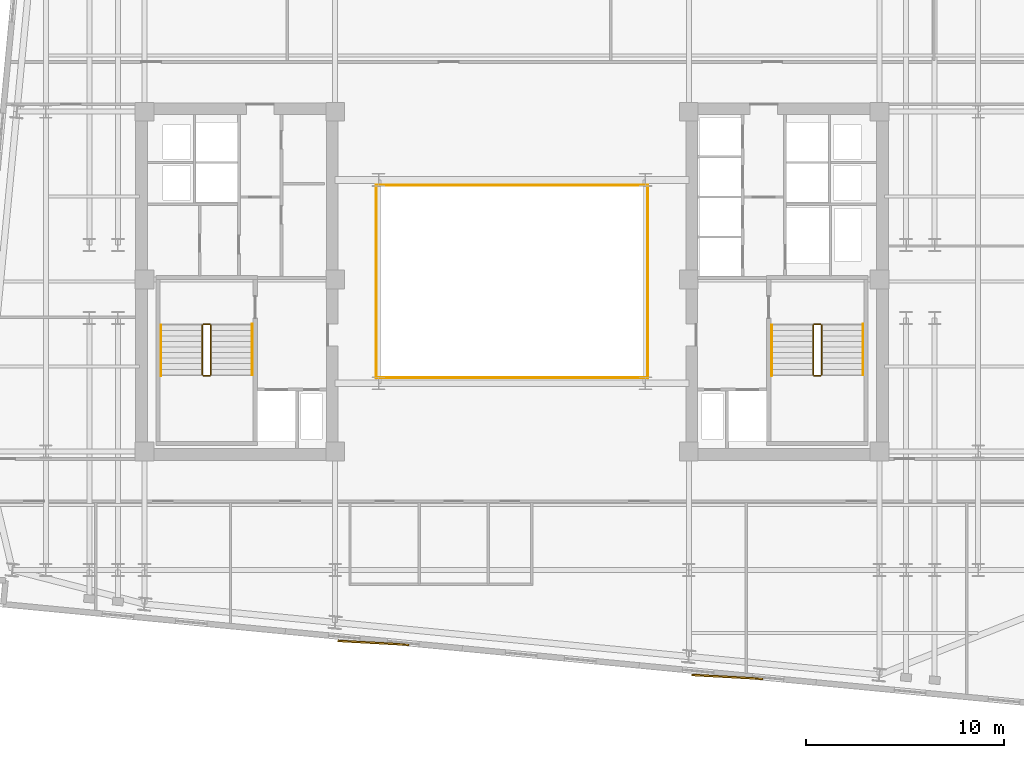
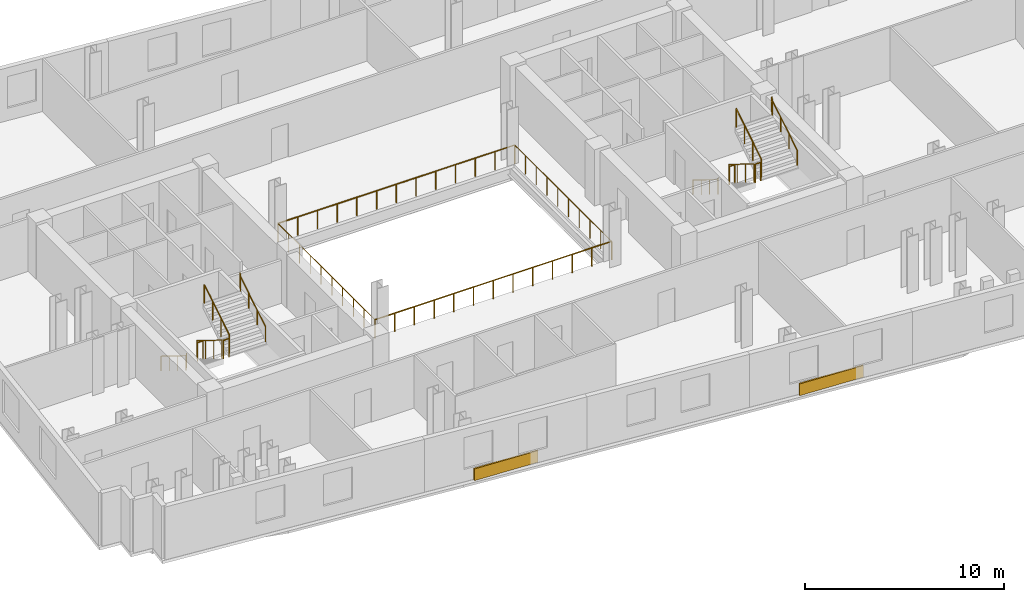
# One storey, part 8 of 9: 16 railings, 2 coverings.
"""IFC4 building model written with IfcOpenShell, lengths in metres."""

from ifc_helpers import new_model, si_unit, direction, frame, origin, origin_2d, place, context, subcontext, project, spatial, rectangle, circle, extrude, material, layer, layer_set, type_object, element, save


model = new_model("IFC4")

# Units and contexts
model_context = context("Model", 3, precision=1e-05, world=origin(), true_north=direction((0.0, 1.0)))
body_context = subcontext(model_context, "Body", "Model", "MODEL_VIEW")
ifc_project = project(units=[si_unit("LENGTHUNIT", "METRE"), si_unit("AREAUNIT", "SQUARE_METRE"), si_unit("VOLUMEUNIT", "CUBIC_METRE"), si_unit("PLANEANGLEUNIT", "RADIAN"), si_unit("MASSUNIT", "GRAM", prefix="KILO")], contexts=[model_context])

# Site, building, storey
site_placement = place(None, origin())
site = spatial("IfcSite", under=ifc_project, at=site_placement, CompositionType="ELEMENT")
building_placement = place(site_placement, origin())
building = spatial("IfcBuilding", under=site, at=building_placement, Name="Velakula Bourse", CompositionType="ELEMENT")
storey_placement = place(building_placement, frame((0.0, 0.0, 184.550048828125)))
storey = spatial("IfcBuildingStorey", under=building, at=storey_placement, Name="L50", CompositionType="ELEMENT", Elevation=184.550048828125)

# Coverings
ifc_material_1 = material(Name="Buff kilned clay facing brick masonry", Category="masonry")
ifc_layer = layer(ifc_material_1, 0.074951171875, Name="Buff kilned clay facing brick masonry", Category="masonry")
ifc_layer_set = layer_set([ifc_layer], Name="Buff kilned clay facing brick masonry")
covering_type = type_object("IfcCoveringType", Name="COV-BRK-SPN-75", PredefinedType="CLADDING", material=ifc_layer_set)
for number, where, z_axis, x_axis, name in (
    (1, (-7.01220703125, -18.288330078125, 0.0), (0.0, 0.0, 1.0), (0.998489097451, -0.054950179912, 0.0), "L50 Folded Brick Facade Cladding Panel S-B2"),
    (2, (10.905029296875, -20.013671875, 0.0), (0.0, 0.0, 1.0), (0.998489097451, -0.054950179912, 0.0), "L50 Folded Brick Facade Cladding Panel S-B4"),
):
    element("IfcCovering", number, at=place(storey_placement, frame(where, z_axis=z_axis, x_axis=x_axis)), inside=storey, type_object=covering_type, Name=name, PredefinedType="CLADDING", context=body_context, shape_type="SweptSolid", body=[
        extrude(rectangle(XDim=3.60009765625, YDim=0.090087890625, at=origin_2d()), origin(), (0.0, 0.0, 1.0), 0.719970703125),
    ])

# Railings
ifc_material_2 = material(Name="Brushed grade 316 stainless steel", Category="steel")
railing_type_1 = type_object("IfcRailingType", Name="RLG-ATRIUM-1150", PredefinedType="BALUSTRADE", material=ifc_material_2)
railing_1_placement = place(storey_placement, frame((-6.8798828125, -4.8798828125, 0.0)))
element("IfcRailing", 3, at=railing_1_placement, inside=storey, type_object=railing_type_1, Name="L50 Central Trading Atrium Balustrade S", PredefinedType="BALUSTRADE", context=body_context, shape_type="SweptSolid", body=[
    extrude(circle(Radius=0.02392578125, at=origin_2d()), frame((0.0, 0.0, 1.1259765625), z_axis=(1.0, 0.0, 0.0), x_axis=(0.0, 1.0, 0.0)), (0.0, 0.0, 1.0), 13.759765625),
    extrude(circle(Radius=0.02099609375, at=origin_2d()), origin(), (0.0, 0.0, 1.0), 1.101806640625),
    extrude(circle(Radius=0.02099609375, at=origin_2d()), frame((1.146728515625, 0.0, 0.0)), (0.0, 0.0, 1.0), 1.101806640625),
    extrude(circle(Radius=0.02099609375, at=origin_2d()), frame((2.293212890625, 0.0, 0.0)), (0.0, 0.0, 1.0), 1.101806640625),
    extrude(circle(Radius=0.02099609375, at=origin_2d()), frame((3.43994140625, 0.0, 0.0)), (0.0, 0.0, 1.0), 1.101806640625),
    extrude(circle(Radius=0.02099609375, at=origin_2d()), frame((4.586669921875, 0.0, 0.0)), (0.0, 0.0, 1.0), 1.101806640625),
    extrude(circle(Radius=0.02099609375, at=origin_2d()), frame((5.733154296875, 0.0, 0.0)), (0.0, 0.0, 1.0), 1.101806640625),
    extrude(circle(Radius=0.02099609375, at=origin_2d()), frame((6.8798828125, 0.0, 0.0)), (0.0, 0.0, 1.0), 1.101806640625),
    extrude(circle(Radius=0.02099609375, at=origin_2d()), frame((8.026611328125, 0.0, 0.0)), (0.0, 0.0, 1.0), 1.101806640625),
    extrude(circle(Radius=0.02099609375, at=origin_2d()), frame((9.173095703125, 0.0, 0.0)), (0.0, 0.0, 1.0), 1.101806640625),
    extrude(circle(Radius=0.02099609375, at=origin_2d()), frame((10.31982421875, 0.0, 0.0)), (0.0, 0.0, 1.0), 1.101806640625),
    extrude(circle(Radius=0.02099609375, at=origin_2d()), frame((11.466552734375, 0.0, 0.0)), (0.0, 0.0, 1.0), 1.101806640625),
    extrude(circle(Radius=0.02099609375, at=origin_2d()), frame((12.613037109375, 0.0, 0.0)), (0.0, 0.0, 1.0), 1.101806640625),
    extrude(circle(Radius=0.02099609375, at=origin_2d()), frame((13.759765625, 0.0, 0.0)), (0.0, 0.0, 1.0), 1.101806640625),
])
railing_2_placement = place(storey_placement, frame((6.8798828125, -4.8798828125, 0.0)))
element("IfcRailing", 4, at=railing_2_placement, inside=storey, type_object=railing_type_1, Name="L50 Central Trading Atrium Balustrade E", PredefinedType="BALUSTRADE", context=body_context, shape_type="SweptSolid", body=[
    extrude(circle(Radius=0.02392578125, at=origin_2d()), frame((0.0, 0.0, 1.1259765625), z_axis=(0.0, 1.0, 0.0), x_axis=(-1.0, 0.0, 0.0)), (0.0, 0.0, 1.0), 9.759765625),
    extrude(circle(Radius=0.02099609375, at=origin_2d()), origin(), (0.0, 0.0, 1.0), 1.101806640625),
    extrude(circle(Radius=0.02099609375, at=origin_2d()), frame((0.0, 1.08447265625, 0.0)), (0.0, 0.0, 1.0), 1.101806640625),
    extrude(circle(Radius=0.02099609375, at=origin_2d()), frame((0.0, 2.1689453125, 0.0)), (0.0, 0.0, 1.0), 1.101806640625),
    extrude(circle(Radius=0.02099609375, at=origin_2d()), frame((0.0, 3.253173828125, 0.0)), (0.0, 0.0, 1.0), 1.101806640625),
    extrude(circle(Radius=0.02099609375, at=origin_2d()), frame((0.0, 4.337646484375, 0.0)), (0.0, 0.0, 1.0), 1.101806640625),
    extrude(circle(Radius=0.02099609375, at=origin_2d()), frame((0.0, 5.422119140625, 0.0)), (0.0, 0.0, 1.0), 1.101806640625),
    extrude(circle(Radius=0.02099609375, at=origin_2d()), frame((0.0, 6.506591796875, 0.0)), (0.0, 0.0, 1.0), 1.101806640625),
    extrude(circle(Radius=0.02099609375, at=origin_2d()), frame((0.0, 7.5908203125, 0.0)), (0.0, 0.0, 1.0), 1.101806640625),
    extrude(circle(Radius=0.02099609375, at=origin_2d()), frame((0.0, 8.67529296875, 0.0)), (0.0, 0.0, 1.0), 1.101806640625),
    extrude(circle(Radius=0.02099609375, at=origin_2d()), frame((0.0, 9.759765625, 0.0)), (0.0, 0.0, 1.0), 1.101806640625),
])
railing_3_placement = place(storey_placement, frame((6.8798828125, 4.8798828125, 0.0)))
element("IfcRailing", 5, at=railing_3_placement, inside=storey, type_object=railing_type_1, Name="L50 Central Trading Atrium Balustrade N", PredefinedType="BALUSTRADE", context=body_context, shape_type="SweptSolid", body=[
    extrude(circle(Radius=0.02392578125, at=origin_2d()), frame((0.0, 0.0, 1.1259765625), z_axis=(-1.0, 0.0, 0.0), x_axis=(0.0, -1.0, 0.0)), (0.0, 0.0, 1.0), 13.759765625),
    extrude(circle(Radius=0.02099609375, at=origin_2d()), origin(), (0.0, 0.0, 1.0), 1.101806640625),
    extrude(circle(Radius=0.02099609375, at=origin_2d()), frame((-1.146728515625, 0.0, 0.0)), (0.0, 0.0, 1.0), 1.101806640625),
    extrude(circle(Radius=0.02099609375, at=origin_2d()), frame((-2.293212890625, 0.0, 0.0)), (0.0, 0.0, 1.0), 1.101806640625),
    extrude(circle(Radius=0.02099609375, at=origin_2d()), frame((-3.43994140625, 0.0, 0.0)), (0.0, 0.0, 1.0), 1.101806640625),
    extrude(circle(Radius=0.02099609375, at=origin_2d()), frame((-4.586669921875, 0.0, 0.0)), (0.0, 0.0, 1.0), 1.101806640625),
    extrude(circle(Radius=0.02099609375, at=origin_2d()), frame((-5.733154296875, 0.0, 0.0)), (0.0, 0.0, 1.0), 1.101806640625),
    extrude(circle(Radius=0.02099609375, at=origin_2d()), frame((-6.8798828125, 0.0, 0.0)), (0.0, 0.0, 1.0), 1.101806640625),
    extrude(circle(Radius=0.02099609375, at=origin_2d()), frame((-8.026611328125, 0.0, 0.0)), (0.0, 0.0, 1.0), 1.101806640625),
    extrude(circle(Radius=0.02099609375, at=origin_2d()), frame((-9.173095703125, 0.0, 0.0)), (0.0, 0.0, 1.0), 1.101806640625),
    extrude(circle(Radius=0.02099609375, at=origin_2d()), frame((-10.31982421875, 0.0, 0.0)), (0.0, 0.0, 1.0), 1.101806640625),
    extrude(circle(Radius=0.02099609375, at=origin_2d()), frame((-11.466552734375, 0.0, 0.0)), (0.0, 0.0, 1.0), 1.101806640625),
    extrude(circle(Radius=0.02099609375, at=origin_2d()), frame((-12.613037109375, 0.0, 0.0)), (0.0, 0.0, 1.0), 1.101806640625),
    extrude(circle(Radius=0.02099609375, at=origin_2d()), frame((-13.759765625, 0.0, 0.0)), (0.0, 0.0, 1.0), 1.101806640625),
])
railing_4_placement = place(storey_placement, frame((-6.8798828125, 4.8798828125, 0.0)))
element("IfcRailing", 6, at=railing_4_placement, inside=storey, type_object=railing_type_1, Name="L50 Central Trading Atrium Balustrade W", PredefinedType="BALUSTRADE", context=body_context, shape_type="SweptSolid", body=[
    extrude(circle(Radius=0.02392578125, at=origin_2d()), frame((0.0, 0.0, 1.1259765625), z_axis=(0.0, -1.0, 0.0), x_axis=(1.0, 0.0, 0.0)), (0.0, 0.0, 1.0), 9.759765625),
    extrude(circle(Radius=0.02099609375, at=origin_2d()), origin(), (0.0, 0.0, 1.0), 1.101806640625),
    extrude(circle(Radius=0.02099609375, at=origin_2d()), frame((0.0, -1.08447265625, 0.0)), (0.0, 0.0, 1.0), 1.101806640625),
    extrude(circle(Radius=0.02099609375, at=origin_2d()), frame((0.0, -2.1689453125, 0.0)), (0.0, 0.0, 1.0), 1.101806640625),
    extrude(circle(Radius=0.02099609375, at=origin_2d()), frame((0.0, -3.253173828125, 0.0)), (0.0, 0.0, 1.0), 1.101806640625),
    extrude(circle(Radius=0.02099609375, at=origin_2d()), frame((0.0, -4.337646484375, 0.0)), (0.0, 0.0, 1.0), 1.101806640625),
    extrude(circle(Radius=0.02099609375, at=origin_2d()), frame((0.0, -5.422119140625, 0.0)), (0.0, 0.0, 1.0), 1.101806640625),
    extrude(circle(Radius=0.02099609375, at=origin_2d()), frame((0.0, -6.506591796875, 0.0)), (0.0, 0.0, 1.0), 1.101806640625),
    extrude(circle(Radius=0.02099609375, at=origin_2d()), frame((0.0, -7.5908203125, 0.0)), (0.0, 0.0, 1.0), 1.101806640625),
    extrude(circle(Radius=0.02099609375, at=origin_2d()), frame((0.0, -8.67529296875, 0.0)), (0.0, 0.0, 1.0), 1.101806640625),
    extrude(circle(Radius=0.02099609375, at=origin_2d()), frame((0.0, -9.759765625, 0.0)), (0.0, 0.0, 1.0), 1.101806640625),
])
railing_type_2 = type_object("IfcRailingType", Name="RLG-STAIR-GUARD-1150", PredefinedType="BALUSTRADE", material=ifc_material_2)
railing_5_placement = place(storey_placement, frame((-15.672119140625, -2.199951171875, 0.17236328125)))
element("IfcRailing", 7, at=railing_5_placement, inside=storey, type_object=railing_type_2, Name="L50 ST-W1 stair guard 1", PredefinedType="BALUSTRADE", context=body_context, shape_type="SweptSolid", body=[
    extrude(circle(Radius=0.02490234375, at=origin_2d()), frame((0.0, 0.0, 1.125), z_axis=(0.0, -0.851400495292, 0.524516154772), x_axis=(1.0, 0.0, 0.0)), (0.0, 0.0, 1.0), 2.9599609375),
    extrude(circle(Radius=0.02099609375, at=origin_2d()), origin(), (0.0, 0.0, 1.0), 1.099853515625),
    extrude(circle(Radius=0.02099609375, at=origin_2d()), frame((0.0, -0.840087890625, 0.517578125)), (0.0, 0.0, 1.0), 1.099853515625),
    extrude(circle(Radius=0.02099609375, at=origin_2d()), frame((0.0, -1.679931640625, 1.034912109375)), (0.0, 0.0, 1.0), 1.099853515625),
    extrude(circle(Radius=0.02099609375, at=origin_2d()), frame((0.0, -2.52001953125, 1.552490234375)), (0.0, 0.0, 1.0), 1.099853515625),
])
railing_6_placement = place(storey_placement, frame((-15.6220703125, -4.77001953125, 1.724853515625)))
element("IfcRailing", 8, at=railing_6_placement, inside=storey, type_object=railing_type_2, Name="L50 ST-W1 stair guard 2", PredefinedType="BALUSTRADE", context=body_context, shape_type="SweptSolid", body=[
    extrude(circle(Radius=0.02490234375, at=origin_2d()), frame((0.0, 0.0, 1.125), z_axis=(1.0, 0.0, 0.0), x_axis=(0.0, 1.0, 0.0)), (0.0, 0.0, 1.0), 0.323974609375),
    extrude(circle(Radius=0.02099609375, at=origin_2d()), origin(), (0.0, 0.0, 1.0), 1.099853515625),
    extrude(circle(Radius=0.02099609375, at=origin_2d()), frame((0.323974609375, 0.0, 0.0)), (0.0, 0.0, 1.0), 1.099853515625),
])
railing_7_placement = place(storey_placement, frame((-15.248046875, -4.719970703125, 1.8974609375)))
element("IfcRailing", 9, at=railing_7_placement, inside=storey, type_object=railing_type_2, Name="L50 ST-W1 stair guard 3", PredefinedType="BALUSTRADE", context=body_context, shape_type="SweptSolid", body=[
    extrude(circle(Radius=0.02490234375, at=origin_2d()), frame((0.0, 0.0, 1.125), z_axis=(0.0, 0.851400495292, 0.524516154772), x_axis=(-1.0, 0.0, 0.0)), (0.0, 0.0, 1.0), 2.9599609375),
    extrude(circle(Radius=0.02099609375, at=origin_2d()), origin(), (0.0, 0.0, 1.0), 1.099853515625),
    extrude(circle(Radius=0.02099609375, at=origin_2d()), frame((0.0, 0.840087890625, 0.517578125)), (0.0, 0.0, 1.0), 1.099853515625),
    extrude(circle(Radius=0.02099609375, at=origin_2d()), frame((0.0, 1.679931640625, 1.034912109375)), (0.0, 0.0, 1.0), 1.099853515625),
    extrude(circle(Radius=0.02099609375, at=origin_2d()), frame((0.0, 2.52001953125, 1.552490234375)), (0.0, 0.0, 1.0), 1.099853515625),
])
railing_8_placement = place(storey_placement, frame((-15.6220703125, -2.14990234375, 0.0)))
element("IfcRailing", 10, at=railing_8_placement, inside=storey, type_object=railing_type_2, Name="L50 ST-W1 stair guard 4", PredefinedType="BALUSTRADE", context=body_context, shape_type="SweptSolid", body=[
    extrude(circle(Radius=0.02490234375, at=origin_2d()), frame((0.0, 0.0, 1.125), z_axis=(1.0, 0.0, 0.0), x_axis=(0.0, 1.0, 0.0)), (0.0, 0.0, 1.0), 0.323974609375),
    extrude(circle(Radius=0.02099609375, at=origin_2d()), origin(), (0.0, 0.0, 1.0), 1.099853515625),
    extrude(circle(Radius=0.02099609375, at=origin_2d()), frame((0.323974609375, 0.0, 0.0)), (0.0, 0.0, 1.0), 1.099853515625),
])
railing_9_placement = place(storey_placement, frame((15.248046875, -2.199951171875, 0.17236328125)))
element("IfcRailing", 11, at=railing_9_placement, inside=storey, type_object=railing_type_2, Name="L50 ST-E1 stair guard 1", PredefinedType="BALUSTRADE", context=body_context, shape_type="SweptSolid", body=[
    extrude(circle(Radius=0.02490234375, at=origin_2d()), frame((0.0, 0.0, 1.125), z_axis=(0.0, -0.851400495292, 0.524516154772), x_axis=(1.0, 0.0, 0.0)), (0.0, 0.0, 1.0), 2.9599609375),
    extrude(circle(Radius=0.02099609375, at=origin_2d()), origin(), (0.0, 0.0, 1.0), 1.099853515625),
    extrude(circle(Radius=0.02099609375, at=origin_2d()), frame((0.0, -0.840087890625, 0.517578125)), (0.0, 0.0, 1.0), 1.099853515625),
    extrude(circle(Radius=0.02099609375, at=origin_2d()), frame((0.0, -1.679931640625, 1.034912109375)), (0.0, 0.0, 1.0), 1.099853515625),
    extrude(circle(Radius=0.02099609375, at=origin_2d()), frame((0.0, -2.52001953125, 1.552490234375)), (0.0, 0.0, 1.0), 1.099853515625),
])
railing_10_placement = place(storey_placement, frame((15.298095703125, -4.77001953125, 1.724853515625)))
element("IfcRailing", 12, at=railing_10_placement, inside=storey, type_object=railing_type_2, Name="L50 ST-E1 stair guard 2", PredefinedType="BALUSTRADE", context=body_context, shape_type="SweptSolid", body=[
    extrude(circle(Radius=0.02490234375, at=origin_2d()), frame((0.0, 0.0, 1.125), z_axis=(1.0, 0.0, 0.0), x_axis=(0.0, 1.0, 0.0)), (0.0, 0.0, 1.0), 0.323974609375),
    extrude(circle(Radius=0.02099609375, at=origin_2d()), origin(), (0.0, 0.0, 1.0), 1.099853515625),
    extrude(circle(Radius=0.02099609375, at=origin_2d()), frame((0.323974609375, 0.0, 0.0)), (0.0, 0.0, 1.0), 1.099853515625),
])
railing_11_placement = place(storey_placement, frame((15.672119140625, -4.719970703125, 1.8974609375)))
element("IfcRailing", 13, at=railing_11_placement, inside=storey, type_object=railing_type_2, Name="L50 ST-E1 stair guard 3", PredefinedType="BALUSTRADE", context=body_context, shape_type="SweptSolid", body=[
    extrude(circle(Radius=0.02490234375, at=origin_2d()), frame((0.0, 0.0, 1.125), z_axis=(0.0, 0.851400495292, 0.524516154772), x_axis=(-1.0, 0.0, 0.0)), (0.0, 0.0, 1.0), 2.9599609375),
    extrude(circle(Radius=0.02099609375, at=origin_2d()), origin(), (0.0, 0.0, 1.0), 1.099853515625),
    extrude(circle(Radius=0.02099609375, at=origin_2d()), frame((0.0, 0.840087890625, 0.517578125)), (0.0, 0.0, 1.0), 1.099853515625),
    extrude(circle(Radius=0.02099609375, at=origin_2d()), frame((0.0, 1.679931640625, 1.034912109375)), (0.0, 0.0, 1.0), 1.099853515625),
    extrude(circle(Radius=0.02099609375, at=origin_2d()), frame((0.0, 2.52001953125, 1.552490234375)), (0.0, 0.0, 1.0), 1.099853515625),
])
railing_12_placement = place(storey_placement, frame((15.298095703125, -2.14990234375, 0.0)))
element("IfcRailing", 14, at=railing_12_placement, inside=storey, type_object=railing_type_2, Name="L50 ST-E1 stair guard 4", PredefinedType="BALUSTRADE", context=body_context, shape_type="SweptSolid", body=[
    extrude(circle(Radius=0.02490234375, at=origin_2d()), frame((0.0, 0.0, 1.125), z_axis=(1.0, 0.0, 0.0), x_axis=(0.0, 1.0, 0.0)), (0.0, 0.0, 1.0), 0.323974609375),
    extrude(circle(Radius=0.02099609375, at=origin_2d()), origin(), (0.0, 0.0, 1.0), 1.099853515625),
    extrude(circle(Radius=0.02099609375, at=origin_2d()), frame((0.323974609375, 0.0, 0.0)), (0.0, 0.0, 1.0), 1.099853515625),
])
railing_type_3 = type_object("IfcRailingType", Name="RLG-STAIR-HAND-920", PredefinedType="HANDRAIL", material=ifc_material_2)
railing_13_placement = place(storey_placement, frame((-17.77001953125, -2.199951171875, 0.17236328125)))
element("IfcRailing", 15, at=railing_13_placement, inside=storey, type_object=railing_type_3, Name="L50 ST-W1 stair handrail 1", PredefinedType="HANDRAIL", context=body_context, shape_type="SweptSolid", body=[
    extrude(circle(Radius=0.02099609375, at=origin_2d()), frame((0.0, 0.0, 0.89892578125), z_axis=(0.0, -0.851400495292, 0.524516154772), x_axis=(1.0, 0.0, 0.0)), (0.0, 0.0, 1.0), 2.9599609375),
    extrude(circle(Radius=0.02099609375, at=origin_2d()), frame((0.0, -2.52001953125, 2.451416015625), z_axis=(0.0, -0.22596628056, 0.974135124123), x_axis=(1.0, 0.0, 0.0)), (0.0, 0.0, 1.0), 0.17724609375),
    extrude(circle(Radius=0.02099609375, at=origin_2d()), frame((0.0, -2.56005859375, 2.6240234375), z_axis=(0.0, -1.0, 0.0), x_axis=(1.0, 0.0, 0.0)), (0.0, 0.0, 1.0), 0.0048828125),
    extrude(circle(Radius=0.02099609375, at=origin_2d()), origin(), (0.0, 0.0, 1.0), 0.8779296875),
    extrude(circle(Radius=0.02099609375, at=origin_2d()), frame((0.0, -0.840087890625, 0.517578125)), (0.0, 0.0, 1.0), 0.8779296875),
    extrude(circle(Radius=0.02099609375, at=origin_2d()), frame((0.0, -1.679931640625, 1.034912109375)), (0.0, 0.0, 1.0), 0.8779296875),
    extrude(circle(Radius=0.02099609375, at=origin_2d()), frame((0.0, -2.52001953125, 1.552490234375)), (0.0, 0.0, 1.0), 0.8779296875),
    extrude(circle(Radius=0.02099609375, at=origin_2d()), frame((0.0, -2.56005859375, 1.72509765625)), (0.0, 0.0, 1.0), 0.8779296875),
    extrude(circle(Radius=0.02099609375, at=origin_2d()), frame((0.0, -2.56494140625, 1.72509765625)), (0.0, 0.0, 1.0), 0.8779296875),
])
railing_14_placement = place(storey_placement, frame((-13.14990234375, -4.719970703125, 1.8974609375)))
element("IfcRailing", 16, at=railing_14_placement, inside=storey, type_object=railing_type_3, Name="L50 ST-W1 stair handrail 2", PredefinedType="HANDRAIL", context=body_context, shape_type="SweptSolid", body=[
    extrude(circle(Radius=0.02099609375, at=origin_2d()), frame((0.0, 0.0, 0.89892578125), z_axis=(0.0, 0.851400495292, 0.524516154772), x_axis=(-1.0, 0.0, 0.0)), (0.0, 0.0, 1.0), 2.9599609375),
    extrude(circle(Radius=0.02099609375, at=origin_2d()), frame((0.0, 2.52001953125, 2.451416015625), z_axis=(0.0, 0.22596628056, 0.974135124123), x_axis=(-1.0, 0.0, 0.0)), (0.0, 0.0, 1.0), 0.17724609375),
    extrude(circle(Radius=0.02099609375, at=origin_2d()), frame((0.0, 2.56005859375, 2.6240234375), z_axis=(0.0, 1.0, 0.0), x_axis=(-1.0, 0.0, 0.0)), (0.0, 0.0, 1.0), 0.0048828125),
    extrude(circle(Radius=0.02099609375, at=origin_2d()), origin(), (0.0, 0.0, 1.0), 0.8779296875),
    extrude(circle(Radius=0.02099609375, at=origin_2d()), frame((0.0, 0.840087890625, 0.517578125)), (0.0, 0.0, 1.0), 0.8779296875),
    extrude(circle(Radius=0.02099609375, at=origin_2d()), frame((0.0, 1.679931640625, 1.034912109375)), (0.0, 0.0, 1.0), 0.8779296875),
    extrude(circle(Radius=0.02099609375, at=origin_2d()), frame((0.0, 2.52001953125, 1.552490234375)), (0.0, 0.0, 1.0), 0.8779296875),
    extrude(circle(Radius=0.02099609375, at=origin_2d()), frame((0.0, 2.56005859375, 1.72509765625)), (0.0, 0.0, 1.0), 0.8779296875),
    extrude(circle(Radius=0.02099609375, at=origin_2d()), frame((0.0, 2.56494140625, 1.72509765625)), (0.0, 0.0, 1.0), 0.8779296875),
])
railing_15_placement = place(storey_placement, frame((13.14990234375, -2.199951171875, 0.17236328125)))
element("IfcRailing", 17, at=railing_15_placement, inside=storey, type_object=railing_type_3, Name="L50 ST-E1 stair handrail 1", PredefinedType="HANDRAIL", context=body_context, shape_type="SweptSolid", body=[
    extrude(circle(Radius=0.02099609375, at=origin_2d()), frame((0.0, 0.0, 0.89892578125), z_axis=(0.0, -0.851400495292, 0.524516154772), x_axis=(1.0, 0.0, 0.0)), (0.0, 0.0, 1.0), 2.9599609375),
    extrude(circle(Radius=0.02099609375, at=origin_2d()), frame((0.0, -2.52001953125, 2.451416015625), z_axis=(0.0, -0.22596628056, 0.974135124123), x_axis=(1.0, 0.0, 0.0)), (0.0, 0.0, 1.0), 0.17724609375),
    extrude(circle(Radius=0.02099609375, at=origin_2d()), frame((0.0, -2.56005859375, 2.6240234375), z_axis=(0.0, -1.0, 0.0), x_axis=(1.0, 0.0, 0.0)), (0.0, 0.0, 1.0), 0.0048828125),
    extrude(circle(Radius=0.02099609375, at=origin_2d()), origin(), (0.0, 0.0, 1.0), 0.8779296875),
    extrude(circle(Radius=0.02099609375, at=origin_2d()), frame((0.0, -0.840087890625, 0.517578125)), (0.0, 0.0, 1.0), 0.8779296875),
    extrude(circle(Radius=0.02099609375, at=origin_2d()), frame((0.0, -1.679931640625, 1.034912109375)), (0.0, 0.0, 1.0), 0.8779296875),
    extrude(circle(Radius=0.02099609375, at=origin_2d()), frame((0.0, -2.52001953125, 1.552490234375)), (0.0, 0.0, 1.0), 0.8779296875),
    extrude(circle(Radius=0.02099609375, at=origin_2d()), frame((0.0, -2.56005859375, 1.72509765625)), (0.0, 0.0, 1.0), 0.8779296875),
    extrude(circle(Radius=0.02099609375, at=origin_2d()), frame((0.0, -2.56494140625, 1.72509765625)), (0.0, 0.0, 1.0), 0.8779296875),
])
railing_16_placement = place(storey_placement, frame((17.77001953125, -4.719970703125, 1.8974609375)))
element("IfcRailing", 18, at=railing_16_placement, inside=storey, type_object=railing_type_3, Name="L50 ST-E1 stair handrail 2", PredefinedType="HANDRAIL", context=body_context, shape_type="SweptSolid", body=[
    extrude(circle(Radius=0.02099609375, at=origin_2d()), frame((0.0, 0.0, 0.89892578125), z_axis=(0.0, 0.851400495292, 0.524516154772), x_axis=(-1.0, 0.0, 0.0)), (0.0, 0.0, 1.0), 2.9599609375),
    extrude(circle(Radius=0.02099609375, at=origin_2d()), frame((0.0, 2.52001953125, 2.451416015625), z_axis=(0.0, 0.22596628056, 0.974135124123), x_axis=(-1.0, 0.0, 0.0)), (0.0, 0.0, 1.0), 0.17724609375),
    extrude(circle(Radius=0.02099609375, at=origin_2d()), frame((0.0, 2.56005859375, 2.6240234375), z_axis=(0.0, 1.0, 0.0), x_axis=(-1.0, 0.0, 0.0)), (0.0, 0.0, 1.0), 0.0048828125),
    extrude(circle(Radius=0.02099609375, at=origin_2d()), origin(), (0.0, 0.0, 1.0), 0.8779296875),
    extrude(circle(Radius=0.02099609375, at=origin_2d()), frame((0.0, 0.840087890625, 0.517578125)), (0.0, 0.0, 1.0), 0.8779296875),
    extrude(circle(Radius=0.02099609375, at=origin_2d()), frame((0.0, 1.679931640625, 1.034912109375)), (0.0, 0.0, 1.0), 0.8779296875),
    extrude(circle(Radius=0.02099609375, at=origin_2d()), frame((0.0, 2.52001953125, 1.552490234375)), (0.0, 0.0, 1.0), 0.8779296875),
    extrude(circle(Radius=0.02099609375, at=origin_2d()), frame((0.0, 2.56005859375, 1.72509765625)), (0.0, 0.0, 1.0), 0.8779296875),
    extrude(circle(Radius=0.02099609375, at=origin_2d()), frame((0.0, 2.56494140625, 1.72509765625)), (0.0, 0.0, 1.0), 0.8779296875),
])

save(model, "model.ifc")
